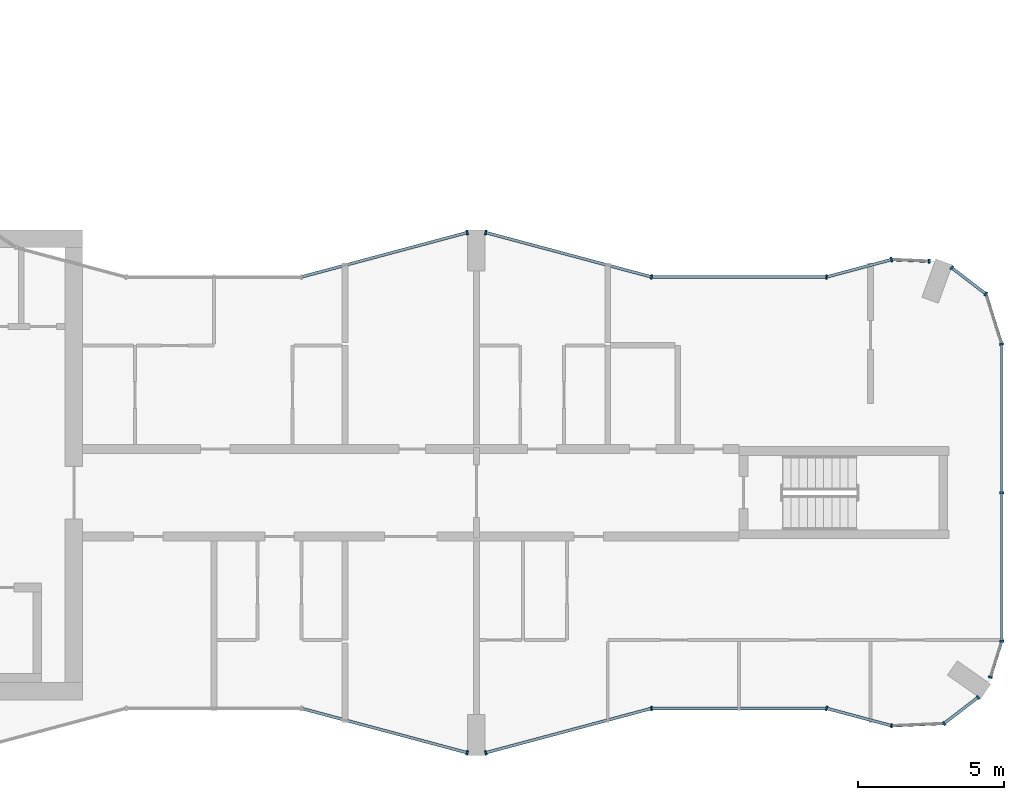
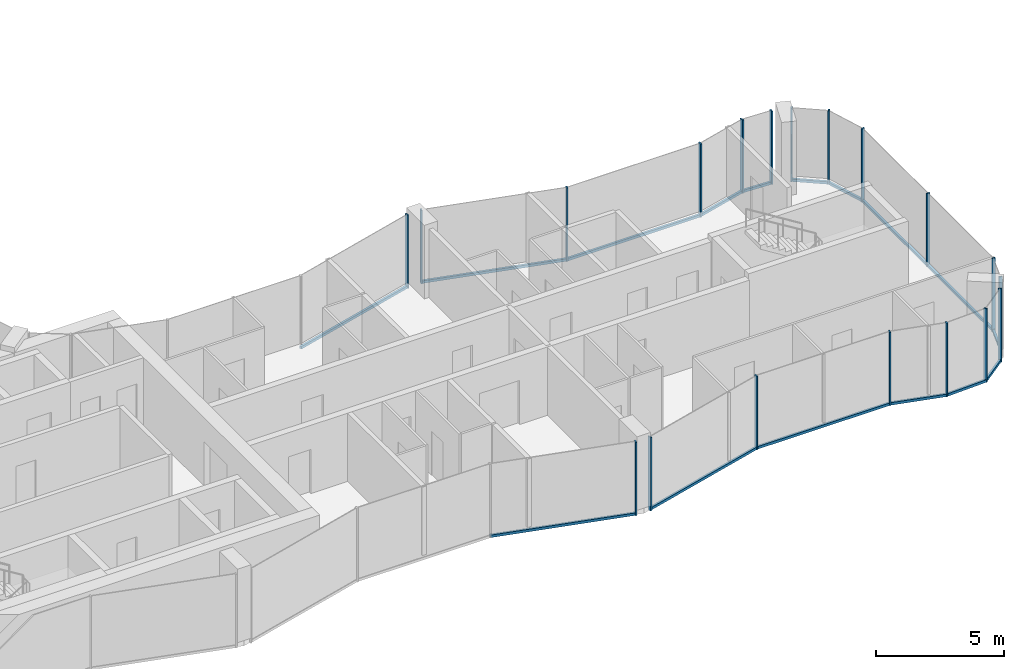
# One storey, part 6 of 17: 34 members, 15 elements without a shape of their own.
"""IFC4 building model written with IfcOpenShell, lengths in metres."""

from ifc_helpers import new_model, si_unit, direction, frame, origin, origin_2d, place, context, subcontext, project, spatial, rectangle, extrude, material, layer, layer_set, material_profile, profile_set, type_object, element, aggregate, save


model = new_model("IFC4")

# Units and contexts
model_context = context("Model", 3, precision=1e-05, world=origin(), true_north=direction((0.0, 1.0)))
body_context = subcontext(model_context, "Body", "Model", "MODEL_VIEW")
ifc_project = project(units=[si_unit("LENGTHUNIT", "METRE"), si_unit("AREAUNIT", "SQUARE_METRE"), si_unit("VOLUMEUNIT", "CUBIC_METRE"), si_unit("PLANEANGLEUNIT", "RADIAN"), si_unit("MASSUNIT", "GRAM", prefix="KILO")], contexts=[model_context])

# Site, building, storey
site_placement = place(None, origin())
site = spatial("IfcSite", under=ifc_project, at=site_placement, CompositionType="ELEMENT")
building_placement = place(site_placement, origin())
building = spatial("IfcBuilding", under=site, at=building_placement, Name="Plateau Cross Towers", CompositionType="ELEMENT")
storey_placement = place(building_placement, frame((0.0, 0.0, 142.89990234375)))
storey = spatial("IfcBuildingStorey", under=building, at=storey_placement, Name="L36", CompositionType="ELEMENT", Elevation=142.89990234375)

# Curtain wall, member
ifc_material_1 = material(Name="Dark low-iron glass", Category="glass")
ifc_layer_1 = layer(ifc_material_1, 0.239990234375)
ifc_layer_set_1 = layer_set([ifc_layer_1], Name="Dark low-iron glass")
curtain_wall_type_1 = type_object("IfcCurtainWallType", Name="Curtain wall flush unitised CW-B", PredefinedType="NOTDEFINED", material=ifc_layer_set_1)
curtain_wall_1_placement = place(storey_placement, origin())
curtain_wall_1 = element("IfcCurtainWall", 1, at=curtain_wall_1_placement, inside=storey, type_object=curtain_wall_type_1, Name="ENV/A/L36/A502_10", PredefinedType="NOTDEFINED")
ifc_material_2 = material(Name="Black anodised aluminium", Category="aluminium")
ifc_material_profile_1 = material_profile(ifc_material_2, rectangle(XDim=0.06005859375, YDim=0.139892578125, at=origin_2d()), Name="MULLION 60x140")
ifc_profile_set_1 = profile_set([ifc_material_profile_1], Name="Black anodised aluminium")
member_type_1 = type_object("IfcMemberType", Name="Mullion 60x140 flush unitised", PredefinedType="MULLION", material=ifc_profile_set_1)
member_1_placement = place(storey_placement, frame((50.223876953125, 1.01123046875, -0.25), z_axis=(0.0, 0.0, 1.0), x_axis=(0.999043701491, 0.043722791671, 0.0)))
member_1 = element("IfcMember", 2, at=member_1_placement, type_object=member_type_1, Name="CW-B mullion 1", PredefinedType="MULLION", context=body_context, shape_type="SweptSolid", body=[
    extrude(rectangle(XDim=0.06005859375, YDim=0.139892578125, at=origin_2d()), origin(), (0.0, 0.0, 1.0), 3.5),
])

# Curtain wall, members
curtain_wall_2_placement = place(storey_placement, origin())
curtain_wall_2 = element("IfcCurtainWall", 3, at=curtain_wall_2_placement, inside=storey, type_object=curtain_wall_type_1, Name="ENV/A/L36/A520_11", PredefinedType="NOTDEFINED")
member_2_placement = place(storey_placement, frame((52.0263671875, 1.090087890625, -0.25), z_axis=(0.0, 0.0, 1.0), x_axis=(0.793315514529, 0.608810721331, 0.0)))
member_2 = element("IfcMember", 4, at=member_2_placement, type_object=member_type_1, Name="CW-B mullion 1", PredefinedType="MULLION", context=body_context, shape_type="SweptSolid", body=[
    extrude(rectangle(XDim=0.06005859375, YDim=0.139892578125, at=origin_2d()), origin(), (0.0, 0.0, 1.0), 3.5),
])
member_3_placement = place(storey_placement, frame((53.193603515625, 1.986083984375, -0.25), z_axis=(0.0, 0.0, 1.0), x_axis=(0.793315514529, 0.608810721331, 0.0)))
member_3 = element("IfcMember", 5, at=member_3_placement, type_object=member_type_1, Name="CW-B mullion 2", PredefinedType="MULLION", context=body_context, shape_type="SweptSolid", body=[
    extrude(rectangle(XDim=0.06005859375, YDim=0.139892578125, at=origin_2d()), origin(), (0.0, 0.0, 1.0), 3.5),
])

# Curtain wall, member
curtain_wall_3_placement = place(storey_placement, origin())
curtain_wall_3 = element("IfcCurtainWall", 6, at=curtain_wall_3_placement, inside=storey, type_object=curtain_wall_type_1, Name="ENV/A/L36/A536_27", PredefinedType="NOTDEFINED")
member_4_placement = place(storey_placement, frame((53.611083984375, 2.67529296875, -0.25), z_axis=(0.0, 0.0, 1.0), x_axis=(0.300686174994, 0.95372313811, 0.0)))
member_4 = element("IfcMember", 7, at=member_4_placement, type_object=member_type_1, Name="CW-B mullion 1", PredefinedType="MULLION", context=body_context, shape_type="SweptSolid", body=[
    extrude(rectangle(XDim=0.06005859375, YDim=0.139892578125, at=origin_2d()), origin(), (0.0, 0.0, 1.0), 3.5),
])

# Curtain wall, members
curtain_wall_4_placement = place(storey_placement, origin())
curtain_wall_4 = element("IfcCurtainWall", 8, at=curtain_wall_4_placement, inside=storey, type_object=curtain_wall_type_1, Name="ENV/A/L36/A540_39", PredefinedType="NOTDEFINED")
member_5_placement = place(storey_placement, frame((54.0, 3.9091796875, -0.25), z_axis=(0.0, 0.0, 1.0), x_axis=(0.0, 1.0, 0.0)))
member_5 = element("IfcMember", 9, at=member_5_placement, type_object=member_type_1, Name="CW-B mullion 1", PredefinedType="MULLION", context=body_context, shape_type="SweptSolid", body=[
    extrude(rectangle(XDim=0.06005859375, YDim=0.139892578125, at=origin_2d()), origin(), (0.0, 0.0, 1.0), 3.5),
])
member_6_placement = place(storey_placement, frame((54.0, 9.0, -0.25), z_axis=(0.0, 0.0, 1.0), x_axis=(0.0, 1.0, 0.0)))
member_6 = element("IfcMember", 10, at=member_6_placement, type_object=member_type_1, Name="CW-B mullion 2", PredefinedType="MULLION", context=body_context, shape_type="SweptSolid", body=[
    extrude(rectangle(XDim=0.06005859375, YDim=0.139892578125, at=origin_2d()), origin(), (0.0, 0.0, 1.0), 3.5),
])

# Curtain wall, member
curtain_wall_5_placement = place(storey_placement, origin())
curtain_wall_5 = element("IfcCurtainWall", 11, at=curtain_wall_5_placement, inside=storey, type_object=curtain_wall_type_1, Name="ENV/A/L36/A540_141", PredefinedType="NOTDEFINED")
member_7_placement = place(storey_placement, frame((54.0, 14.0908203125, -0.25), z_axis=(0.0, 0.0, 1.0), x_axis=(-0.300686174994, 0.95372313811, 0.0)))
member_7 = element("IfcMember", 12, at=member_7_placement, type_object=member_type_1, Name="CW-B mullion 1", PredefinedType="MULLION", context=body_context, shape_type="SweptSolid", body=[
    extrude(rectangle(XDim=0.06005859375, YDim=0.139892578125, at=origin_2d()), origin(), (0.0, 0.0, 1.0), 3.5),
])

# Curtain wall, members
curtain_wall_6_placement = place(storey_placement, origin())
curtain_wall_6 = element("IfcCurtainWall", 13, at=curtain_wall_6_placement, inside=storey, type_object=curtain_wall_type_1, Name="ENV/A/L36/A535_158", PredefinedType="NOTDEFINED")
member_8_placement = place(storey_placement, frame((53.45751953125, 15.8115234375, -0.25), z_axis=(0.0, 0.0, 1.0), x_axis=(-0.793315514529, 0.608810721331, 0.0)))
member_8 = element("IfcMember", 14, at=member_8_placement, type_object=member_type_1, Name="CW-B mullion 1", PredefinedType="MULLION", context=body_context, shape_type="SweptSolid", body=[
    extrude(rectangle(XDim=0.06005859375, YDim=0.139892578125, at=origin_2d()), origin(), (0.0, 0.0, 1.0), 3.5),
])
member_9_placement = place(storey_placement, frame((52.290283203125, 16.707275390625, -0.25), z_axis=(0.0, 0.0, 1.0), x_axis=(-0.793315514529, 0.608810721331, 0.0)))
member_9 = element("IfcMember", 15, at=member_9_placement, type_object=member_type_1, Name="CW-B mullion 2", PredefinedType="MULLION", context=body_context, shape_type="SweptSolid", body=[
    extrude(rectangle(XDim=0.06005859375, YDim=0.139892578125, at=origin_2d()), origin(), (0.0, 0.0, 1.0), 3.5),
])

# Curtain wall, member
curtain_wall_7_placement = place(storey_placement, origin())
curtain_wall_7 = element("IfcCurtainWall", 16, at=curtain_wall_7_placement, inside=storey, type_object=curtain_wall_type_1, Name="ENV/A/L36/A515_169", PredefinedType="NOTDEFINED")
member_10_placement = place(storey_placement, frame((51.516357421875, 16.93212890625, -0.25), z_axis=(0.0, 0.0, 1.0), x_axis=(-0.999043701491, 0.043722791671, 0.0)))
member_10 = element("IfcMember", 17, at=member_10_placement, type_object=member_type_1, Name="CW-B mullion 1", PredefinedType="MULLION", context=body_context, shape_type="SweptSolid", body=[
    extrude(rectangle(XDim=0.06005859375, YDim=0.139892578125, at=origin_2d()), origin(), (0.0, 0.0, 1.0), 3.5),
])

ifc_layer_2 = layer(ifc_material_1, 0.260009765625)
ifc_layer_set_2 = layer_set([ifc_layer_2], Name="Dark low-iron glass")
curtain_wall_type_2 = type_object("IfcCurtainWallType", Name="Curtain wall fluted unitised CW-A", PredefinedType="NOTDEFINED", material=ifc_layer_set_2)
curtain_wall_8_placement = place(storey_placement, origin())
curtain_wall_8 = element("IfcCurtainWall", 18, at=curtain_wall_8_placement, inside=storey, type_object=curtain_wall_type_2, Name="ENV/A/L36/A300_16", PredefinedType="NOTDEFINED")
ifc_material_profile_2 = material_profile(ifc_material_2, rectangle(XDim=0.06005859375, YDim=0.159912109375, at=origin_2d()), Name="MULLION 60x160")
ifc_profile_set_2 = profile_set([ifc_material_profile_2], Name="Black anodised aluminium")
member_type_2 = type_object("IfcMemberType", Name="Mullion 60x160 fluted unitised", PredefinedType="MULLION", material=ifc_profile_set_2)
member_11_placement = place(storey_placement, frame((35.68212890625, 0.085205078125, -0.25), z_axis=(0.0, 0.0, 1.0), x_axis=(0.965957983404, -0.258699003279, 0.0)))
member_11 = element("IfcMember", 19, at=member_11_placement, type_object=member_type_2, Name="CW-A mullion 2", PredefinedType="MULLION", context=body_context, shape_type="SweptSolid", body=[
    extrude(rectangle(XDim=0.06005859375, YDim=0.159912109375, at=origin_2d()), origin(), (0.0, 0.0, 1.0), 3.5),
])

curtain_wall_9_placement = place(storey_placement, origin())
curtain_wall_9 = element("IfcCurtainWall", 20, at=curtain_wall_9_placement, inside=storey, type_object=curtain_wall_type_2, Name="ENV/A/L36/A363_1", PredefinedType="NOTDEFINED")
member_12_placement = place(storey_placement, frame((36.31787109375, 0.085205078125, -0.25), z_axis=(0.0, 0.0, 1.0), x_axis=(0.965957983404, 0.258699003279, 0.0)))
member_12 = element("IfcMember", 21, at=member_12_placement, type_object=member_type_2, Name="CW-A mullion 1", PredefinedType="MULLION", context=body_context, shape_type="SweptSolid", body=[
    extrude(rectangle(XDim=0.06005859375, YDim=0.159912109375, at=origin_2d()), origin(), (0.0, 0.0, 1.0), 3.5),
])

curtain_wall_10_placement = place(storey_placement, origin())
curtain_wall_10 = element("IfcCurtainWall", 22, at=curtain_wall_10_placement, inside=storey, type_object=curtain_wall_type_2, Name="ENV/A/L36/A420_16", PredefinedType="NOTDEFINED")
member_13_placement = place(storey_placement, frame((42.0, 1.60693359375, -0.25), z_axis=(0.0, 0.0, 1.0), x_axis=(1.0, 0.0, 0.0)))
member_13 = element("IfcMember", 23, at=member_13_placement, type_object=member_type_2, Name="CW-A mullion 1", PredefinedType="MULLION", context=body_context, shape_type="SweptSolid", body=[
    extrude(rectangle(XDim=0.06005859375, YDim=0.159912109375, at=origin_2d()), origin(), (0.0, 0.0, 1.0), 3.5),
])

curtain_wall_11_placement = place(storey_placement, origin())
curtain_wall_11 = element("IfcCurtainWall", 24, at=curtain_wall_11_placement, inside=storey, type_object=curtain_wall_type_2, Name="ENV/A/L36/A480_16", PredefinedType="NOTDEFINED")
member_14_placement = place(storey_placement, frame((48.0, 1.60693359375, -0.25), z_axis=(0.0, 0.0, 1.0), x_axis=(0.965957962328, -0.258699081978, 0.0)))
member_14 = element("IfcMember", 25, at=member_14_placement, type_object=member_type_2, Name="CW-A mullion 1", PredefinedType="MULLION", context=body_context, shape_type="SweptSolid", body=[
    extrude(rectangle(XDim=0.06005859375, YDim=0.159912109375, at=origin_2d()), origin(), (0.0, 0.0, 1.0), 3.5),
])

curtain_wall_12_placement = place(storey_placement, origin())
curtain_wall_12 = element("IfcCurtainWall", 26, at=curtain_wall_12_placement, inside=storey, type_object=curtain_wall_type_2, Name="ENV/A/L36/A502_170", PredefinedType="NOTDEFINED")
member_15_placement = place(storey_placement, frame((50.223876953125, 16.98876953125, -0.25), z_axis=(0.0, 0.0, 1.0), x_axis=(-0.965957962328, -0.258699081978, 0.0)))
member_15 = element("IfcMember", 27, at=member_15_placement, type_object=member_type_2, Name="CW-A mullion 1", PredefinedType="MULLION", context=body_context, shape_type="SweptSolid", body=[
    extrude(rectangle(XDim=0.06005859375, YDim=0.159912109375, at=origin_2d()), origin(), (0.0, 0.0, 1.0), 3.5),
])

curtain_wall_13_placement = place(storey_placement, origin())
curtain_wall_13 = element("IfcCurtainWall", 28, at=curtain_wall_13_placement, inside=storey, type_object=curtain_wall_type_2, Name="ENV/A/L36/A480_164", PredefinedType="NOTDEFINED")
member_16_placement = place(storey_placement, frame((48.0, 16.39306640625, -0.25), z_axis=(0.0, 0.0, 1.0), x_axis=(-1.0, 0.0, 0.0)))
member_16 = element("IfcMember", 29, at=member_16_placement, type_object=member_type_2, Name="CW-A mullion 1", PredefinedType="MULLION", context=body_context, shape_type="SweptSolid", body=[
    extrude(rectangle(XDim=0.06005859375, YDim=0.159912109375, at=origin_2d()), origin(), (0.0, 0.0, 1.0), 3.5),
])

# Curtain wall, members
curtain_wall_14_placement = place(storey_placement, origin())
curtain_wall_14 = element("IfcCurtainWall", 30, at=curtain_wall_14_placement, inside=storey, type_object=curtain_wall_type_2, Name="ENV/A/L36/A420_164", PredefinedType="NOTDEFINED")
member_17_placement = place(storey_placement, frame((42.0, 16.39306640625, -0.25), z_axis=(0.0, 0.0, 1.0), x_axis=(-0.965957983404, 0.258699003279, 0.0)))
member_17 = element("IfcMember", 31, at=member_17_placement, type_object=member_type_2, Name="CW-A mullion 1", PredefinedType="MULLION", context=body_context, shape_type="SweptSolid", body=[
    extrude(rectangle(XDim=0.06005859375, YDim=0.159912109375, at=origin_2d()), origin(), (0.0, 0.0, 1.0), 3.5),
])
member_18_placement = place(storey_placement, frame((36.31787109375, 17.914794921875, -0.25), z_axis=(0.0, 0.0, 1.0), x_axis=(-0.965957983404, 0.258699003279, 0.0)))
member_18 = element("IfcMember", 32, at=member_18_placement, type_object=member_type_2, Name="CW-A mullion 2", PredefinedType="MULLION", context=body_context, shape_type="SweptSolid", body=[
    extrude(rectangle(XDim=0.06005859375, YDim=0.159912109375, at=origin_2d()), origin(), (0.0, 0.0, 1.0), 3.5),
])

# Curtain wall, member
curtain_wall_15_placement = place(storey_placement, origin())
curtain_wall_15 = element("IfcCurtainWall", 33, at=curtain_wall_15_placement, inside=storey, type_object=curtain_wall_type_2, Name="ENV/A/L36/A357_179", PredefinedType="NOTDEFINED")
member_19_placement = place(storey_placement, frame((35.68212890625, 17.914794921875, -0.25), z_axis=(0.0, 0.0, 1.0), x_axis=(-0.965957983404, -0.258699003279, 0.0)))
member_19 = element("IfcMember", 34, at=member_19_placement, type_object=member_type_2, Name="CW-A mullion 1", PredefinedType="MULLION", context=body_context, shape_type="SweptSolid", body=[
    extrude(rectangle(XDim=0.06005859375, YDim=0.159912109375, at=origin_2d()), origin(), (0.0, 0.0, 1.0), 3.5),
])

# Member
ifc_material_profile_3 = material_profile(ifc_material_2, rectangle(XDim=0.10009765625, YDim=0.1201171875, at=origin_2d()), Name="TRANSOM 100x120")
ifc_profile_set_3 = profile_set([ifc_material_profile_3], Name="Black anodised aluminium")
member_type_3 = type_object("IfcMemberType", Name="Transom 100x120 flush unitised", PredefinedType="USERDEFINED", material=ifc_profile_set_3)
member_20_placement = place(storey_placement, frame((50.223876953125, 1.01123046875, -0.18994140625), z_axis=(0.999044377355, 0.043707345779, 0.0), x_axis=(-0.043707345779, 0.999044377355, 0.0)))
member_20 = element("IfcMember", 35, at=member_20_placement, type_object=member_type_3, Name="CW-B transom", ObjectType="TRANSOM", PredefinedType="USERDEFINED", context=body_context, shape_type="SweptSolid", body=[
    extrude(rectangle(XDim=0.10009765625, YDim=0.1201171875, at=origin_2d()), origin(), (0.0, 0.0, 1.0), 1.80419921875),
])

aggregate(curtain_wall_1, [member_1, member_20])

member_21_placement = place(storey_placement, frame((52.0263671875, 1.090087890625, -0.18994140625), z_axis=(0.793240368515, 0.608908628415, 0.0), x_axis=(-0.608908628415, 0.793240368515, 0.0)))
member_21 = element("IfcMember", 36, at=member_21_placement, type_object=member_type_3, Name="CW-B transom", ObjectType="TRANSOM", PredefinedType="USERDEFINED", context=body_context, shape_type="SweptSolid", body=[
    extrude(rectangle(XDim=0.10009765625, YDim=0.1201171875, at=origin_2d()), origin(), (0.0, 0.0, 1.0), 1.471435546875),
])

aggregate(curtain_wall_2, [member_2, member_3, member_21])

member_22_placement = place(storey_placement, frame((53.611083984375, 2.67529296875, -0.18994140625), z_axis=(0.300616528216, 0.953745093284, 0.0), x_axis=(-0.953745093284, 0.300616528216, 0.0)))
member_22 = element("IfcMember", 37, at=member_22_placement, type_object=member_type_3, Name="CW-B transom", ObjectType="TRANSOM", PredefinedType="USERDEFINED", context=body_context, shape_type="SweptSolid", body=[
    extrude(rectangle(XDim=0.10009765625, YDim=0.1201171875, at=origin_2d()), origin(), (0.0, 0.0, 1.0), 1.293701171875),
])

aggregate(curtain_wall_3, [member_4, member_22])

member_23_placement = place(storey_placement, frame((54.0, 3.9091796875, -0.18994140625), z_axis=(0.0, 1.0, 0.0), x_axis=(-1.0, 0.0, 0.0)))
member_23 = element("IfcMember", 38, at=member_23_placement, type_object=member_type_3, Name="CW-B transom", ObjectType="TRANSOM", PredefinedType="USERDEFINED", context=body_context, shape_type="SweptSolid", body=[
    extrude(rectangle(XDim=0.10009765625, YDim=0.1201171875, at=origin_2d()), origin(), (0.0, 0.0, 1.0), 10.181640625),
])

aggregate(curtain_wall_4, [member_5, member_6, member_23])

member_24_placement = place(storey_placement, frame((54.0, 14.0908203125, -0.18994140625), z_axis=(-0.30067799945, 0.953725715626, 0.0), x_axis=(-0.953725715626, -0.30067799945, 0.0)))
member_24 = element("IfcMember", 39, at=member_24_placement, type_object=member_type_3, Name="CW-B transom", ObjectType="TRANSOM", PredefinedType="USERDEFINED", context=body_context, shape_type="SweptSolid", body=[
    extrude(rectangle(XDim=0.10009765625, YDim=0.1201171875, at=origin_2d()), origin(), (0.0, 0.0, 1.0), 1.80419921875),
])

aggregate(curtain_wall_5, [member_7, member_24])

member_25_placement = place(storey_placement, frame((53.45751953125, 15.8115234375, -0.18994140625), z_axis=(-0.793320508571, 0.608804213751, 0.0), x_axis=(-0.608804213751, -0.793320508571, 0.0)))
member_25 = element("IfcMember", 40, at=member_25_placement, type_object=member_type_3, Name="CW-B transom", ObjectType="TRANSOM", PredefinedType="USERDEFINED", context=body_context, shape_type="SweptSolid", body=[
    extrude(rectangle(XDim=0.10009765625, YDim=0.1201171875, at=origin_2d()), origin(), (0.0, 0.0, 1.0), 1.471435546875),
])

aggregate(curtain_wall_6, [member_8, member_9, member_25])

member_26_placement = place(storey_placement, frame((51.516357421875, 16.93212890625, -0.18994140625), z_axis=(-0.999041144614, 0.043781175963, 0.0), x_axis=(-0.043781175963, -0.999041144614, 0.0)))
member_26 = element("IfcMember", 41, at=member_26_placement, type_object=member_type_3, Name="CW-B transom", ObjectType="TRANSOM", PredefinedType="USERDEFINED", context=body_context, shape_type="SweptSolid", body=[
    extrude(rectangle(XDim=0.10009765625, YDim=0.1201171875, at=origin_2d()), origin(), (0.0, 0.0, 1.0), 1.293701171875),
])

aggregate(curtain_wall_7, [member_10, member_26])

ifc_material_profile_4 = material_profile(ifc_material_2, rectangle(XDim=0.10009765625, YDim=0.1201171875, at=origin_2d()), Name="TRANSOM 100x120")
ifc_profile_set_4 = profile_set([ifc_material_profile_4], Name="Black anodised aluminium")
member_type_4 = type_object("IfcMemberType", Name="Transom 100x120 fluted unitised", PredefinedType="USERDEFINED", material=ifc_profile_set_4)
member_27_placement = place(storey_placement, frame((30.0, 1.60693359375, -0.18994140625), z_axis=(0.965959534794, -0.258693210465, 0.0), x_axis=(0.258693210465, 0.965959534794, 0.0)))
member_27 = element("IfcMember", 42, at=member_27_placement, type_object=member_type_4, Name="CW-A transom", ObjectType="TRANSOM", PredefinedType="USERDEFINED", context=body_context, shape_type="SweptSolid", body=[
    extrude(rectangle(XDim=0.10009765625, YDim=0.1201171875, at=origin_2d()), origin(), (0.0, 0.0, 1.0), 5.88232421875),
])

aggregate(curtain_wall_8, [member_11, member_27])

member_28_placement = place(storey_placement, frame((36.31787109375, 0.085205078125, -0.18994140625), z_axis=(0.965959534794, 0.258693210465, 0.0), x_axis=(-0.258693210465, 0.965959534794, 0.0)))
member_28 = element("IfcMember", 43, at=member_28_placement, type_object=member_type_4, Name="CW-A transom", ObjectType="TRANSOM", PredefinedType="USERDEFINED", context=body_context, shape_type="SweptSolid", body=[
    extrude(rectangle(XDim=0.10009765625, YDim=0.1201171875, at=origin_2d()), origin(), (0.0, 0.0, 1.0), 5.88232421875),
])

aggregate(curtain_wall_9, [member_12, member_28])

member_29_placement = place(storey_placement, frame((42.0, 1.60693359375, -0.18994140625), z_axis=(1.0, 0.0, 0.0), x_axis=(0.0, 1.0, 0.0)))
member_29 = element("IfcMember", 44, at=member_29_placement, type_object=member_type_4, Name="CW-A transom", ObjectType="TRANSOM", PredefinedType="USERDEFINED", context=body_context, shape_type="SweptSolid", body=[
    extrude(rectangle(XDim=0.10009765625, YDim=0.1201171875, at=origin_2d()), origin(), (0.0, 0.0, 1.0), 6.0),
])

aggregate(curtain_wall_10, [member_13, member_29])

member_30_placement = place(storey_placement, frame((48.0, 1.60693359375, -0.18994140625), z_axis=(0.965945685136, -0.258744919501, 0.0), x_axis=(0.258744919501, 0.965945685136, 0.0)))
member_30 = element("IfcMember", 45, at=member_30_placement, type_object=member_type_4, Name="CW-A transom", ObjectType="TRANSOM", PredefinedType="USERDEFINED", context=body_context, shape_type="SweptSolid", body=[
    extrude(rectangle(XDim=0.10009765625, YDim=0.1201171875, at=origin_2d()), origin(), (0.0, 0.0, 1.0), 2.30224609375),
])

aggregate(curtain_wall_11, [member_14, member_30])

member_31_placement = place(storey_placement, frame((50.223876953125, 16.98876953125, -0.18994140625), z_axis=(-0.965945685136, -0.258744919501, 0.0), x_axis=(0.258744919501, -0.965945685136, 0.0)))
member_31 = element("IfcMember", 46, at=member_31_placement, type_object=member_type_4, Name="CW-A transom", ObjectType="TRANSOM", PredefinedType="USERDEFINED", context=body_context, shape_type="SweptSolid", body=[
    extrude(rectangle(XDim=0.10009765625, YDim=0.1201171875, at=origin_2d()), origin(), (0.0, 0.0, 1.0), 2.30224609375),
])

aggregate(curtain_wall_12, [member_15, member_31])

member_32_placement = place(storey_placement, frame((48.0, 16.39306640625, -0.18994140625), z_axis=(-1.0, 0.0, 0.0), x_axis=(0.0, -1.0, 0.0)))
member_32 = element("IfcMember", 47, at=member_32_placement, type_object=member_type_4, Name="CW-A transom", ObjectType="TRANSOM", PredefinedType="USERDEFINED", context=body_context, shape_type="SweptSolid", body=[
    extrude(rectangle(XDim=0.10009765625, YDim=0.1201171875, at=origin_2d()), origin(), (0.0, 0.0, 1.0), 6.0),
])

aggregate(curtain_wall_13, [member_16, member_32])

member_33_placement = place(storey_placement, frame((42.0, 16.39306640625, -0.18994140625), z_axis=(-0.965959534794, 0.258693210465, 0.0), x_axis=(-0.258693210465, -0.965959534794, 0.0)))
member_33 = element("IfcMember", 48, at=member_33_placement, type_object=member_type_4, Name="CW-A transom", ObjectType="TRANSOM", PredefinedType="USERDEFINED", context=body_context, shape_type="SweptSolid", body=[
    extrude(rectangle(XDim=0.10009765625, YDim=0.1201171875, at=origin_2d()), origin(), (0.0, 0.0, 1.0), 5.88232421875),
])

aggregate(curtain_wall_14, [member_17, member_18, member_33])

member_34_placement = place(storey_placement, frame((35.68212890625, 17.914794921875, -0.18994140625), z_axis=(-0.965959534794, -0.258693210465, 0.0), x_axis=(0.258693210465, -0.965959534794, 0.0)))
member_34 = element("IfcMember", 49, at=member_34_placement, type_object=member_type_4, Name="CW-A transom", ObjectType="TRANSOM", PredefinedType="USERDEFINED", context=body_context, shape_type="SweptSolid", body=[
    extrude(rectangle(XDim=0.10009765625, YDim=0.1201171875, at=origin_2d()), origin(), (0.0, 0.0, 1.0), 5.88232421875),
])

aggregate(curtain_wall_15, [member_19, member_34])

save(model, "model.ifc")
